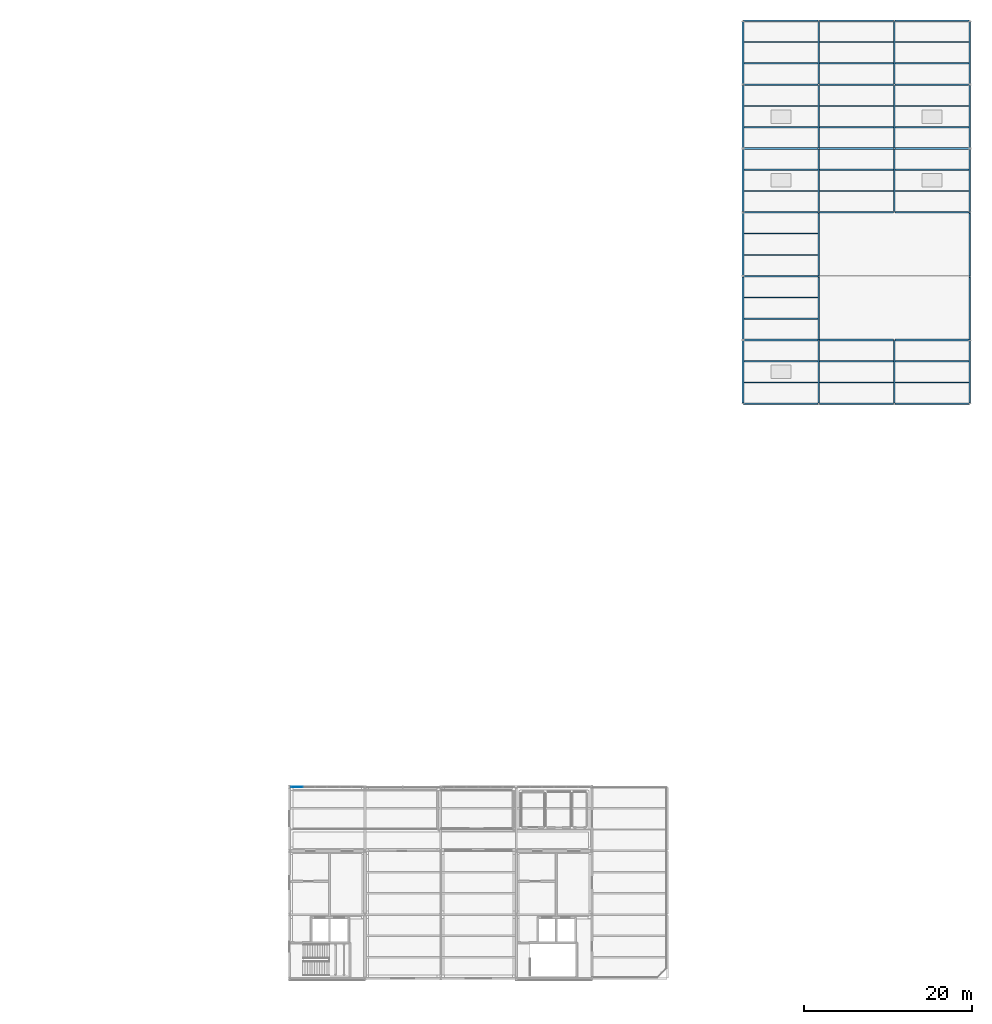
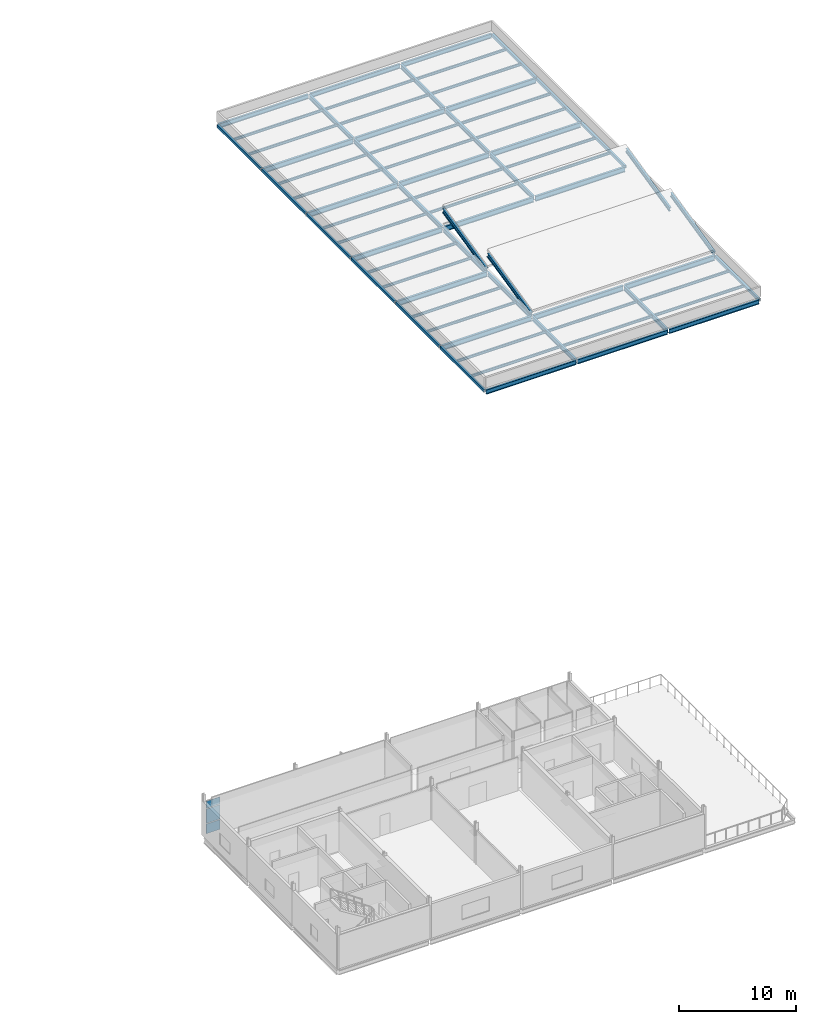
# One storey, part 12 of 24: 71 beams, 3 plates, 1 element without a shape of its own.
"""IFC4 building model written with IfcOpenShell, lengths in metres."""

from ifc_helpers import new_model, si_unit, direction, frame, origin, origin_2d, place, context, subcontext, project, spatial, rectangle, hollow_rectangle, i_section, extrude, material, layer, layer_set, material_profile, profile_set, type_object, element, aggregate, save


model = new_model("IFC4")

# Units and contexts
model_context = context("Model", 3, precision=1e-05, world=origin(), true_north=direction((0.0, 1.0)))
body_context = subcontext(model_context, "Body", "Model", "MODEL_VIEW")
ifc_project = project(units=[si_unit("LENGTHUNIT", "METRE"), si_unit("AREAUNIT", "SQUARE_METRE"), si_unit("VOLUMEUNIT", "CUBIC_METRE"), si_unit("PLANEANGLEUNIT", "RADIAN"), si_unit("MASSUNIT", "GRAM", prefix="KILO")], contexts=[model_context])

# Site, building, storey
site_placement = place(None, origin())
site = spatial("IfcSite", under=ifc_project, at=site_placement, CompositionType="ELEMENT")
building_placement = place(site_placement, origin())
building = spatial("IfcBuilding", under=site, at=building_placement, Name="Caisbarro Railhouse Central Library", CompositionType="ELEMENT")
storey_placement = place(building_placement, frame((0.0, 0.0, 22.320068359375)))
storey = spatial("IfcBuildingStorey", under=building, at=storey_placement, Name="L05", CompositionType="ELEMENT", Elevation=22.320068359375)

# Beams
ifc_material_1 = material(Name="Steel ASTM A572 Grade 50", Category="steel")
ifc_material_profile_1 = material_profile(ifc_material_1, i_section(OverallWidth=0.208984375, OverallDepth=0.532958984375, WebThickness=0.01025390625, FlangeThickness=0.015625, FilletRadius=0.02001953125, at=origin_2d()), Name="W530X92.0")
ifc_profile_set_1 = profile_set([ifc_material_profile_1], Name="Steel ASTM A572 Grade 50")
beam_type_1 = type_object("IfcBeamType", Name="BM-G06", PredefinedType="BEAM", material=ifc_profile_set_1)
for number, where, z_axis, x_axis, name in (
    (1, (117.080078125, 76.0, -0.506591796875), (1.0, 0.0, 0.0), (0.0, 1.0, 0.0), "G06 beam L05 #2341"),
    (2, (126.080078125, 76.0, -0.506591796875), (1.0, 0.0, 0.0), (0.0, 1.0, 0.0), "G06 beam L05 #2342"),
    (3, (135.080078125, 76.0, -0.506591796875), (1.0, 0.0, 0.0), (0.0, 1.0, 0.0), "G06 beam L05 #2343"),
    (4, (117.080078125, 83.60009765625, -0.506591796875), (1.0, 0.0, 0.0), (0.0, 1.0, 0.0), "G06 beam L05 #2344"),
    (5, (117.080078125, 91.199951171875, -0.506591796875), (1.0, 0.0, 0.0), (0.0, 1.0, 0.0), "G06 beam L05 #2345"),
    (6, (126.080078125, 91.199951171875, -0.506591796875), (1.0, 0.0, 0.0), (0.0, 1.0, 0.0), "G06 beam L05 #2346"),
    (7, (135.080078125, 91.199951171875, -0.506591796875), (1.0, 0.0, 0.0), (0.0, 1.0, 0.0), "G06 beam L05 #2347"),
    (8, (117.080078125, 98.800048828125, -0.506591796875), (1.0, 0.0, 0.0), (0.0, 1.0, 0.0), "G06 beam L05 #2348"),
    (9, (126.080078125, 98.800048828125, -0.506591796875), (1.0, 0.0, 0.0), (0.0, 1.0, 0.0), "G06 beam L05 #2349"),
    (10, (135.080078125, 98.800048828125, -0.506591796875), (1.0, 0.0, 0.0), (0.0, 1.0, 0.0), "G06 beam L05 #2350"),
    (11, (117.080078125, 106.39990234375, -0.506591796875), (1.0, 0.0, 0.0), (0.0, 1.0, 0.0), "G06 beam L05 #2351"),
    (12, (126.080078125, 106.39990234375, -0.506591796875), (1.0, 0.0, 0.0), (0.0, 1.0, 0.0), "G06 beam L05 #2352"),
    (13, (135.080078125, 106.39990234375, -0.506591796875), (1.0, 0.0, 0.0), (0.0, 1.0, 0.0), "G06 beam L05 #2353"),
):
    element("IfcBeam", number, at=place(storey_placement, frame(where, z_axis=z_axis, x_axis=x_axis)), inside=storey, type_object=beam_type_1, Name=name, PredefinedType="BEAM", context=body_context, shape_type="SweptSolid", body=[
        extrude(i_section(OverallWidth=0.208984375, OverallDepth=0.532958984375, WebThickness=0.01025390625, FlangeThickness=0.015625, FilletRadius=0.02001953125, at=origin_2d()), origin(), (0.0, 0.0, 1.0), 8.83984375),
    ])
ifc_material_profile_2 = material_profile(ifc_material_1, i_section(OverallWidth=0.18994140625, OverallDepth=0.45703125, WebThickness=0.009033203125, FlangeThickness=0.014404296875, FilletRadius=0.01806640625, at=origin_2d()), Name="W460X74.0")
ifc_profile_set_2 = profile_set([ifc_material_profile_2], Name="Steel ASTM A572 Grade 50")
beam_type_2 = type_object("IfcBeamType", Name="BM-G08", PredefinedType="BEAM", material=ifc_profile_set_2)
for number, where, z_axis, x_axis, name in (
    (14, (126.0, 68.47998046875, -0.468505859375), (0.0, 1.0, 0.0), (-1.0, 0.0, 0.0), "G08 beam L05 #2363"),
    (15, (126.0, 76.080078125, -0.468505859375), (0.0, 1.0, 0.0), (-1.0, 0.0, 0.0), "G08 beam L05 #2364"),
):
    element("IfcBeam", number, at=place(storey_placement, frame(where, z_axis=z_axis, x_axis=x_axis)), inside=storey, type_object=beam_type_2, Name=name, PredefinedType="BEAM", context=body_context, shape_type="SweptSolid", body=[
        extrude(i_section(OverallWidth=0.18994140625, OverallDepth=0.45703125, WebThickness=0.009033203125, FlangeThickness=0.014404296875, FilletRadius=0.01806640625, at=origin_2d()), origin(), (0.0, 0.0, 1.0), 7.43994140625),
    ])
beam_1_placement = place(storey_placement, frame((126.0, 83.679931640625, -0.468505859375), z_axis=(0.0, 1.0, 0.0), x_axis=(-1.0, 0.0, 0.0)))
element("IfcBeam", 16, at=beam_1_placement, inside=storey, type_object=beam_type_2, Name="G08 beam L05 #2365", PredefinedType="BEAM", context=body_context, shape_type="SweptSolid", body=[
    extrude(i_section(OverallWidth=0.18994140625, OverallDepth=0.45703125, WebThickness=0.009033203125, FlangeThickness=0.014404296875, FilletRadius=0.01806640625, at=origin_2d()), origin(), (0.0, 0.0, 1.0), 7.440185546875),
])
beam_2_placement = place(storey_placement, frame((126.0, 91.280029296875, -0.468505859375), z_axis=(0.0, 1.0, 0.0), x_axis=(-1.0, 0.0, 0.0)))
element("IfcBeam", 17, at=beam_2_placement, inside=storey, type_object=beam_type_2, Name="G08 beam L05 #2366", PredefinedType="BEAM", context=body_context, shape_type="SweptSolid", body=[
    extrude(i_section(OverallWidth=0.18994140625, OverallDepth=0.45703125, WebThickness=0.009033203125, FlangeThickness=0.014404296875, FilletRadius=0.01806640625, at=origin_2d()), origin(), (0.0, 0.0, 1.0), 7.43994140625),
])
beam_3_placement = place(storey_placement, frame((126.0, 98.8798828125, -0.468505859375), z_axis=(0.0, 1.0, 0.0), x_axis=(-1.0, 0.0, 0.0)))
element("IfcBeam", 18, at=beam_3_placement, inside=storey, type_object=beam_type_2, Name="G08 beam L05 #2367", PredefinedType="BEAM", context=body_context, shape_type="SweptSolid", body=[
    extrude(i_section(OverallWidth=0.18994140625, OverallDepth=0.45703125, WebThickness=0.009033203125, FlangeThickness=0.014404296875, FilletRadius=0.01806640625, at=origin_2d()), origin(), (0.0, 0.0, 1.0), 7.440185546875),
])
for number, where, z_axis, x_axis, name in (
    (19, (126.0, 106.47998046875, -0.468505859375), (0.0, 1.0, 0.0), (-1.0, 0.0, 0.0), "G08 beam L05 #2368"),
    (20, (135.0, 68.47998046875, -0.468505859375), (0.0, 1.0, 0.0), (-1.0, 0.0, 0.0), "G08 beam L05 #2369"),
    (21, (135.0, 91.280029296875, -0.468505859375), (0.0, 1.0, 0.0), (-1.0, 0.0, 0.0), "G08 beam L05 #2370"),
):
    element("IfcBeam", number, at=place(storey_placement, frame(where, z_axis=z_axis, x_axis=x_axis)), inside=storey, type_object=beam_type_2, Name=name, PredefinedType="BEAM", context=body_context, shape_type="SweptSolid", body=[
        extrude(i_section(OverallWidth=0.18994140625, OverallDepth=0.45703125, WebThickness=0.009033203125, FlangeThickness=0.014404296875, FilletRadius=0.01806640625, at=origin_2d()), origin(), (0.0, 0.0, 1.0), 7.43994140625),
    ])
beam_4_placement = place(storey_placement, frame((135.0, 98.8798828125, -0.468505859375), z_axis=(0.0, 1.0, 0.0), x_axis=(-1.0, 0.0, 0.0)))
element("IfcBeam", 22, at=beam_4_placement, inside=storey, type_object=beam_type_2, Name="G08 beam L05 #2371", PredefinedType="BEAM", context=body_context, shape_type="SweptSolid", body=[
    extrude(i_section(OverallWidth=0.18994140625, OverallDepth=0.45703125, WebThickness=0.009033203125, FlangeThickness=0.014404296875, FilletRadius=0.01806640625, at=origin_2d()), origin(), (0.0, 0.0, 1.0), 7.440185546875),
])
beam_5_placement = place(storey_placement, frame((135.0, 106.47998046875, -0.468505859375), z_axis=(0.0, 1.0, 0.0), x_axis=(-1.0, 0.0, 0.0)))
element("IfcBeam", 23, at=beam_5_placement, inside=storey, type_object=beam_type_2, Name="G08 beam L05 #2372", PredefinedType="BEAM", context=body_context, shape_type="SweptSolid", body=[
    extrude(i_section(OverallWidth=0.18994140625, OverallDepth=0.45703125, WebThickness=0.009033203125, FlangeThickness=0.014404296875, FilletRadius=0.01806640625, at=origin_2d()), origin(), (0.0, 0.0, 1.0), 7.43994140625),
])
for number, where, z_axis, x_axis, name in (
    (24, (126.0, 76.080078125, -0.199951171875), (0.0, 0.974875776975, 0.222749230002), (-1.0, 0.0, 0.0), "V4 Sawtooth Monitor Rafter 1 X=126"),
    (25, (144.0, 76.080078125, -0.199951171875), (0.0, 0.974875776975, 0.222749230002), (-1.0, 0.0, 0.0), "V4 Sawtooth Monitor Rafter 1 X=144"),
):
    element("IfcBeam", number, at=place(storey_placement, frame(where, z_axis=z_axis, x_axis=x_axis)), inside=storey, type_object=beam_type_2, Name=name, PredefinedType="BEAM", context=body_context, shape_type="SweptSolid", body=[
        extrude(i_section(OverallWidth=0.18994140625, OverallDepth=0.45703125, WebThickness=0.009033203125, FlangeThickness=0.014404296875, FilletRadius=0.01806640625, at=origin_2d()), origin(), (0.0, 0.0, 1.0), 7.631591796875),
    ])
for number, where, z_axis, x_axis, name in (
    (26, (126.0, 83.679931640625, -0.199951171875), (0.0, 0.974877364176, 0.222742283405), (-1.0, 0.0, 0.0), "V4 Sawtooth Monitor Rafter 2 X=126"),
    (27, (144.0, 83.679931640625, -0.199951171875), (0.0, 0.974877364176, 0.222742283405), (-1.0, 0.0, 0.0), "V4 Sawtooth Monitor Rafter 2 X=144"),
):
    element("IfcBeam", number, at=place(storey_placement, frame(where, z_axis=z_axis, x_axis=x_axis)), inside=storey, type_object=beam_type_2, Name=name, PredefinedType="BEAM", context=body_context, shape_type="SweptSolid", body=[
        extrude(i_section(OverallWidth=0.18994140625, OverallDepth=0.45703125, WebThickness=0.009033203125, FlangeThickness=0.014404296875, FilletRadius=0.01806640625, at=origin_2d()), origin(), (0.0, 0.0, 1.0), 7.6318359375),
    ])
ifc_material_profile_3 = material_profile(ifc_material_1, i_section(OverallWidth=0.14794921875, OverallDepth=0.26611328125, WebThickness=0.007568359375, FlangeThickness=0.012939453125, FilletRadius=0.010009765625, at=origin_2d()), Name="W250X44.8")
ifc_profile_set_3 = profile_set([ifc_material_profile_3], Name="Steel ASTM A572 Grade 50")
beam_type_3 = type_object("IfcBeamType", Name="BM-J04", PredefinedType="JOIST", material=ifc_profile_set_3)
for number, where, z_axis, x_axis, name in (
    (28, (117.10009765625, 70.933349609375, -0.373046875), (1.0, 0.0, 0.0), (0.0, 1.0, 0.0), "J04 beam L05 #2379"),
    (29, (117.10009765625, 73.466796875, -0.373046875), (1.0, 0.0, 0.0), (0.0, 1.0, 0.0), "J04 beam L05 #2380"),
    (30, (117.10009765625, 78.533203125, -0.373046875), (1.0, 0.0, 0.0), (0.0, 1.0, 0.0), "J04 beam L05 #2381"),
    (31, (117.10009765625, 81.066650390625, -0.373046875), (1.0, 0.0, 0.0), (0.0, 1.0, 0.0), "J04 beam L05 #2382"),
    (32, (117.10009765625, 86.13330078125, -0.373046875), (1.0, 0.0, 0.0), (0.0, 1.0, 0.0), "J04 beam L05 #2383"),
    (33, (117.10009765625, 88.666748046875, -0.373046875), (1.0, 0.0, 0.0), (0.0, 1.0, 0.0), "J04 beam L05 #2384"),
    (34, (117.10009765625, 93.7333984375, -0.373046875), (1.0, 0.0, 0.0), (0.0, 1.0, 0.0), "J04 beam L05 #2385"),
    (35, (117.10009765625, 96.2666015625, -0.373046875), (1.0, 0.0, 0.0), (0.0, 1.0, 0.0), "J04 beam L05 #2386"),
    (36, (117.10009765625, 101.333251953125, -0.373046875), (1.0, 0.0, 0.0), (0.0, 1.0, 0.0), "J04 beam L05 #2387"),
    (37, (117.10009765625, 103.86669921875, -0.373046875), (1.0, 0.0, 0.0), (0.0, 1.0, 0.0), "J04 beam L05 #2388"),
    (38, (117.10009765625, 108.933349609375, -0.373046875), (1.0, 0.0, 0.0), (0.0, 1.0, 0.0), "J04 beam L05 #2389"),
    (39, (117.10009765625, 111.466796875, -0.373046875), (1.0, 0.0, 0.0), (0.0, 1.0, 0.0), "J04 beam L05 #2390"),
):
    element("IfcBeam", number, at=place(storey_placement, frame(where, z_axis=z_axis, x_axis=x_axis)), inside=storey, type_object=beam_type_3, Name=name, PredefinedType="JOIST", context=body_context, shape_type="SweptSolid", body=[
        extrude(i_section(OverallWidth=0.14794921875, OverallDepth=0.26611328125, WebThickness=0.007568359375, FlangeThickness=0.012939453125, FilletRadius=0.010009765625, at=origin_2d()), origin(), (0.0, 0.0, 1.0), 8.804931640625),
    ])
for number, where, z_axis, x_axis, name in (
    (40, (126.094970703125, 70.933349609375, -0.373046875), (1.0, 0.0, 0.0), (0.0, 1.0, 0.0), "J04 beam L05 #2391"),
    (41, (126.094970703125, 73.466796875, -0.373046875), (1.0, 0.0, 0.0), (0.0, 1.0, 0.0), "J04 beam L05 #2392"),
    (42, (126.094970703125, 93.7333984375, -0.373046875), (1.0, 0.0, 0.0), (0.0, 1.0, 0.0), "J04 beam L05 #2393"),
    (43, (126.094970703125, 96.2666015625, -0.373046875), (1.0, 0.0, 0.0), (0.0, 1.0, 0.0), "J04 beam L05 #2394"),
    (44, (126.094970703125, 101.333251953125, -0.373046875), (1.0, 0.0, 0.0), (0.0, 1.0, 0.0), "J04 beam L05 #2395"),
    (45, (126.094970703125, 103.86669921875, -0.373046875), (1.0, 0.0, 0.0), (0.0, 1.0, 0.0), "J04 beam L05 #2396"),
    (46, (126.094970703125, 108.933349609375, -0.373046875), (1.0, 0.0, 0.0), (0.0, 1.0, 0.0), "J04 beam L05 #2397"),
    (47, (126.094970703125, 111.466796875, -0.373046875), (1.0, 0.0, 0.0), (0.0, 1.0, 0.0), "J04 beam L05 #2398"),
):
    element("IfcBeam", number, at=place(storey_placement, frame(where, z_axis=z_axis, x_axis=x_axis)), inside=storey, type_object=beam_type_3, Name=name, PredefinedType="JOIST", context=body_context, shape_type="SweptSolid", body=[
        extrude(i_section(OverallWidth=0.14794921875, OverallDepth=0.26611328125, WebThickness=0.007568359375, FlangeThickness=0.012939453125, FilletRadius=0.010009765625, at=origin_2d()), origin(), (0.0, 0.0, 1.0), 8.81005859375),
    ])
for number, where, z_axis, x_axis, name in (
    (48, (135.094970703125, 70.933349609375, -0.373046875), (1.0, 0.0, 0.0), (0.0, 1.0, 0.0), "J04 beam L05 #2399"),
    (49, (135.094970703125, 73.466796875, -0.373046875), (1.0, 0.0, 0.0), (0.0, 1.0, 0.0), "J04 beam L05 #2400"),
    (50, (135.094970703125, 93.7333984375, -0.373046875), (1.0, 0.0, 0.0), (0.0, 1.0, 0.0), "J04 beam L05 #2401"),
    (51, (135.094970703125, 96.2666015625, -0.373046875), (1.0, 0.0, 0.0), (0.0, 1.0, 0.0), "J04 beam L05 #2402"),
    (52, (135.094970703125, 101.333251953125, -0.373046875), (1.0, 0.0, 0.0), (0.0, 1.0, 0.0), "J04 beam L05 #2403"),
    (53, (135.094970703125, 103.86669921875, -0.373046875), (1.0, 0.0, 0.0), (0.0, 1.0, 0.0), "J04 beam L05 #2404"),
    (54, (135.094970703125, 108.933349609375, -0.373046875), (1.0, 0.0, 0.0), (0.0, 1.0, 0.0), "J04 beam L05 #2405"),
    (55, (135.094970703125, 111.466796875, -0.373046875), (1.0, 0.0, 0.0), (0.0, 1.0, 0.0), "J04 beam L05 #2406"),
):
    element("IfcBeam", number, at=place(storey_placement, frame(where, z_axis=z_axis, x_axis=x_axis)), inside=storey, type_object=beam_type_3, Name=name, PredefinedType="JOIST", context=body_context, shape_type="SweptSolid", body=[
        extrude(i_section(OverallWidth=0.14794921875, OverallDepth=0.26611328125, WebThickness=0.007568359375, FlangeThickness=0.012939453125, FilletRadius=0.010009765625, at=origin_2d()), origin(), (0.0, 0.0, 1.0), 8.804931640625),
    ])
ifc_material_profile_4 = material_profile(ifc_material_1, i_section(OverallWidth=0.18994140625, OverallDepth=0.45703125, WebThickness=0.009033203125, FlangeThickness=0.014404296875, FilletRadius=0.01806640625, at=origin_2d()), Name="W460X74.0")
ifc_profile_set_4 = profile_set([ifc_material_profile_4], Name="Steel ASTM A572 Grade 50")
beam_type_4 = type_object("IfcBeamType", Name="BM-SP01", PredefinedType="SPANDREL", material=ifc_profile_set_4)
for number, where, z_axis, x_axis, name in (
    (56, (117.080078125, 68.39990234375, -0.468505859375), (1.0, 0.0, 0.0), (0.0, 1.0, 0.0), "SP01 beam L05 #2338"),
    (57, (126.080078125, 68.39990234375, -0.468505859375), (1.0, 0.0, 0.0), (0.0, 1.0, 0.0), "SP01 beam L05 #2339"),
    (58, (135.080078125, 68.39990234375, -0.468505859375), (1.0, 0.0, 0.0), (0.0, 1.0, 0.0), "SP01 beam L05 #2340"),
    (59, (117.080078125, 114.0, -0.468505859375), (1.0, 0.0, 0.0), (0.0, 1.0, 0.0), "SP01 beam L05 #2354"),
    (60, (126.080078125, 114.0, -0.468505859375), (1.0, 0.0, 0.0), (0.0, 1.0, 0.0), "SP01 beam L05 #2355"),
    (61, (135.080078125, 114.0, -0.468505859375), (1.0, 0.0, 0.0), (0.0, 1.0, 0.0), "SP01 beam L05 #2356"),
):
    element("IfcBeam", number, at=place(storey_placement, frame(where, z_axis=z_axis, x_axis=x_axis)), inside=storey, type_object=beam_type_4, Name=name, PredefinedType="SPANDREL", context=body_context, shape_type="SweptSolid", body=[
        extrude(i_section(OverallWidth=0.18994140625, OverallDepth=0.45703125, WebThickness=0.009033203125, FlangeThickness=0.014404296875, FilletRadius=0.01806640625, at=origin_2d()), origin(), (0.0, 0.0, 1.0), 8.83984375),
    ])
ifc_material_profile_5 = material_profile(ifc_material_1, hollow_rectangle(XDim=0.199951171875, YDim=0.300048828125, WallThickness=0.012451171875, at=origin_2d()), Name="HSS300X200X12.5")
ifc_profile_set_5 = profile_set([ifc_material_profile_5], Name="Steel ASTM A572 Grade 50")
beam_type_5 = type_object("IfcBeamType", Name="BM-SP02", PredefinedType="SPANDREL", material=ifc_profile_set_5)
for number, where, z_axis, x_axis, name in (
    (62, (117.0, 68.47998046875, -0.39013671875), (0.0, 1.0, 0.0), (-1.0, 0.0, 0.0), "SP02 beam L05 #2357"),
    (63, (117.0, 76.080078125, -0.39013671875), (0.0, 1.0, 0.0), (-1.0, 0.0, 0.0), "SP02 beam L05 #2358"),
):
    element("IfcBeam", number, at=place(storey_placement, frame(where, z_axis=z_axis, x_axis=x_axis)), inside=storey, type_object=beam_type_5, Name=name, PredefinedType="SPANDREL", context=body_context, shape_type="SweptSolid", body=[
        extrude(hollow_rectangle(XDim=0.199951171875, YDim=0.300048828125, WallThickness=0.012451171875, at=origin_2d()), origin(), (0.0, 0.0, 1.0), 7.43994140625),
    ])
beam_6_placement = place(storey_placement, frame((117.0, 83.679931640625, -0.39013671875), z_axis=(0.0, 1.0, 0.0), x_axis=(-1.0, 0.0, 0.0)))
element("IfcBeam", 64, at=beam_6_placement, inside=storey, type_object=beam_type_5, Name="SP02 beam L05 #2359", PredefinedType="SPANDREL", context=body_context, shape_type="SweptSolid", body=[
    extrude(hollow_rectangle(XDim=0.199951171875, YDim=0.300048828125, WallThickness=0.012451171875, at=origin_2d()), origin(), (0.0, 0.0, 1.0), 7.440185546875),
])
beam_7_placement = place(storey_placement, frame((117.0, 91.280029296875, -0.39013671875), z_axis=(0.0, 1.0, 0.0), x_axis=(-1.0, 0.0, 0.0)))
element("IfcBeam", 65, at=beam_7_placement, inside=storey, type_object=beam_type_5, Name="SP02 beam L05 #2360", PredefinedType="SPANDREL", context=body_context, shape_type="SweptSolid", body=[
    extrude(hollow_rectangle(XDim=0.199951171875, YDim=0.300048828125, WallThickness=0.012451171875, at=origin_2d()), origin(), (0.0, 0.0, 1.0), 7.43994140625),
])
beam_8_placement = place(storey_placement, frame((117.0, 98.8798828125, -0.39013671875), z_axis=(0.0, 1.0, 0.0), x_axis=(-1.0, 0.0, 0.0)))
element("IfcBeam", 66, at=beam_8_placement, inside=storey, type_object=beam_type_5, Name="SP02 beam L05 #2361", PredefinedType="SPANDREL", context=body_context, shape_type="SweptSolid", body=[
    extrude(hollow_rectangle(XDim=0.199951171875, YDim=0.300048828125, WallThickness=0.012451171875, at=origin_2d()), origin(), (0.0, 0.0, 1.0), 7.440185546875),
])
for number, where, z_axis, x_axis, name in (
    (67, (117.0, 106.47998046875, -0.39013671875), (0.0, 1.0, 0.0), (-1.0, 0.0, 0.0), "SP02 beam L05 #2362"),
    (68, (144.0, 68.47998046875, -0.39013671875), (0.0, 1.0, 0.0), (-1.0, 0.0, 0.0), "SP02 beam L05 #2373"),
    (69, (144.0, 91.280029296875, -0.39013671875), (0.0, 1.0, 0.0), (-1.0, 0.0, 0.0), "SP02 beam L05 #2376"),
):
    element("IfcBeam", number, at=place(storey_placement, frame(where, z_axis=z_axis, x_axis=x_axis)), inside=storey, type_object=beam_type_5, Name=name, PredefinedType="SPANDREL", context=body_context, shape_type="SweptSolid", body=[
        extrude(hollow_rectangle(XDim=0.199951171875, YDim=0.300048828125, WallThickness=0.012451171875, at=origin_2d()), origin(), (0.0, 0.0, 1.0), 7.43994140625),
    ])
beam_9_placement = place(storey_placement, frame((144.0, 98.8798828125, -0.39013671875), z_axis=(0.0, 1.0, 0.0), x_axis=(-1.0, 0.0, 0.0)))
element("IfcBeam", 70, at=beam_9_placement, inside=storey, type_object=beam_type_5, Name="SP02 beam L05 #2377", PredefinedType="SPANDREL", context=body_context, shape_type="SweptSolid", body=[
    extrude(hollow_rectangle(XDim=0.199951171875, YDim=0.300048828125, WallThickness=0.012451171875, at=origin_2d()), origin(), (0.0, 0.0, 1.0), 7.440185546875),
])
beam_10_placement = place(storey_placement, frame((144.0, 106.47998046875, -0.39013671875), z_axis=(0.0, 1.0, 0.0), x_axis=(-1.0, 0.0, 0.0)))
element("IfcBeam", 71, at=beam_10_placement, inside=storey, type_object=beam_type_5, Name="SP02 beam L05 #2378", PredefinedType="SPANDREL", context=body_context, shape_type="SweptSolid", body=[
    extrude(hollow_rectangle(XDim=0.199951171875, YDim=0.300048828125, WallThickness=0.012451171875, at=origin_2d()), origin(), (0.0, 0.0, 1.0), 7.43994140625),
])

# Curtain wall, plates
ifc_material_2 = material(Name="Anodised architectural aluminium", Category="aluminium")
curtain_wall_type = type_object("IfcCurtainWallType", Name="CW-CW02", PredefinedType="NOTDEFINED", material=ifc_material_2)
curtain_wall_placement = place(storey_placement, origin())
curtain_wall = element("IfcCurtainWall", 72, at=curtain_wall_placement, inside=storey, type_object=curtain_wall_type, Name="CW02 curtain wall L05 #71", PredefinedType="NOTDEFINED")
ifc_material_3 = material(Name="Double low-e laminated solar-control glass", Category="glass")
ifc_layer = layer(ifc_material_3, 0.01806640625, Name="Double low-e laminated solar-control glass")
ifc_layer_set = layer_set([ifc_layer], Name="Double low-e laminated solar-control glass")
plate_type = type_object("IfcPlateType", Name="CWP-CP18", PredefinedType="CURTAIN_PANEL", material=ifc_layer_set)
plate_1_placement = place(storey_placement, frame((63.902099609375, 22.800048828125, 0.07470703125), z_axis=(0.0, 0.0, 1.0), x_axis=(1.0, 0.0, 0.0)))
plate_1 = element("IfcPlate", 73, at=plate_1_placement, type_object=plate_type, Name="CW02 panel 1.1", PredefinedType="CURTAIN_PANEL", context=body_context, shape_type="SweptSolid", body=[
    extrude(rectangle(XDim=1.334228515625, YDim=0.01806640625, at=origin_2d()), origin(), (0.0, 0.0, 1.0), 1.007568359375),
])
plate_2_placement = place(storey_placement, frame((63.902099609375, 22.800048828125, 1.1572265625), z_axis=(0.0, 0.0, 1.0), x_axis=(1.0, 0.0, 0.0)))
plate_2 = element("IfcPlate", 74, at=plate_2_placement, type_object=plate_type, Name="CW02 panel 1.2", PredefinedType="CURTAIN_PANEL", context=body_context, shape_type="SweptSolid", body=[
    extrude(rectangle(XDim=1.334228515625, YDim=0.01806640625, at=origin_2d()), origin(), (0.0, 0.0, 1.0), 1.485107421875),
])
plate_3_placement = place(storey_placement, frame((63.902099609375, 22.800048828125, 2.71728515625), z_axis=(0.0, 0.0, 1.0), x_axis=(1.0, 0.0, 0.0)))
plate_3 = element("IfcPlate", 75, at=plate_3_placement, type_object=plate_type, Name="CW02 panel 1.3", PredefinedType="CURTAIN_PANEL", context=body_context, shape_type="SweptSolid", body=[
    extrude(rectangle(XDim=1.334228515625, YDim=0.01806640625, at=origin_2d()), origin(), (0.0, 0.0, 1.0), 0.737548828125),
])
aggregate(curtain_wall, [plate_1, plate_2, plate_3])

save(model, "model.ifc")
